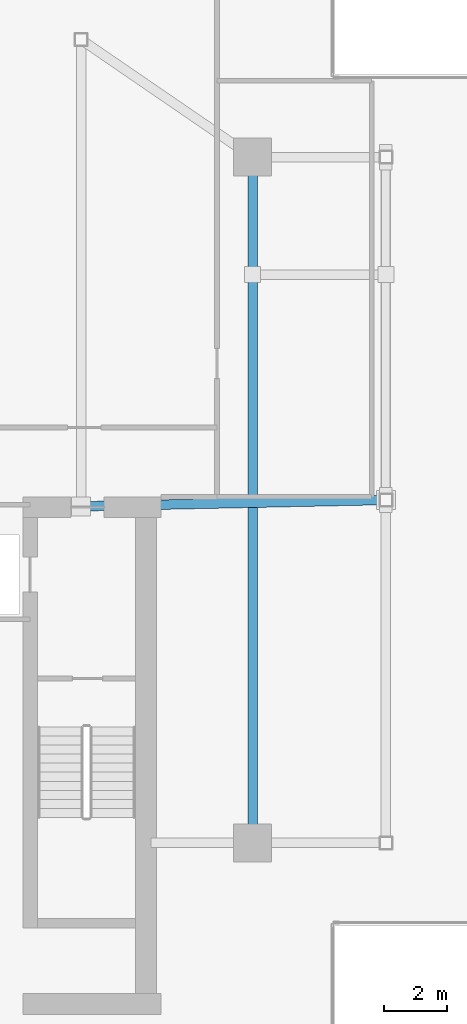
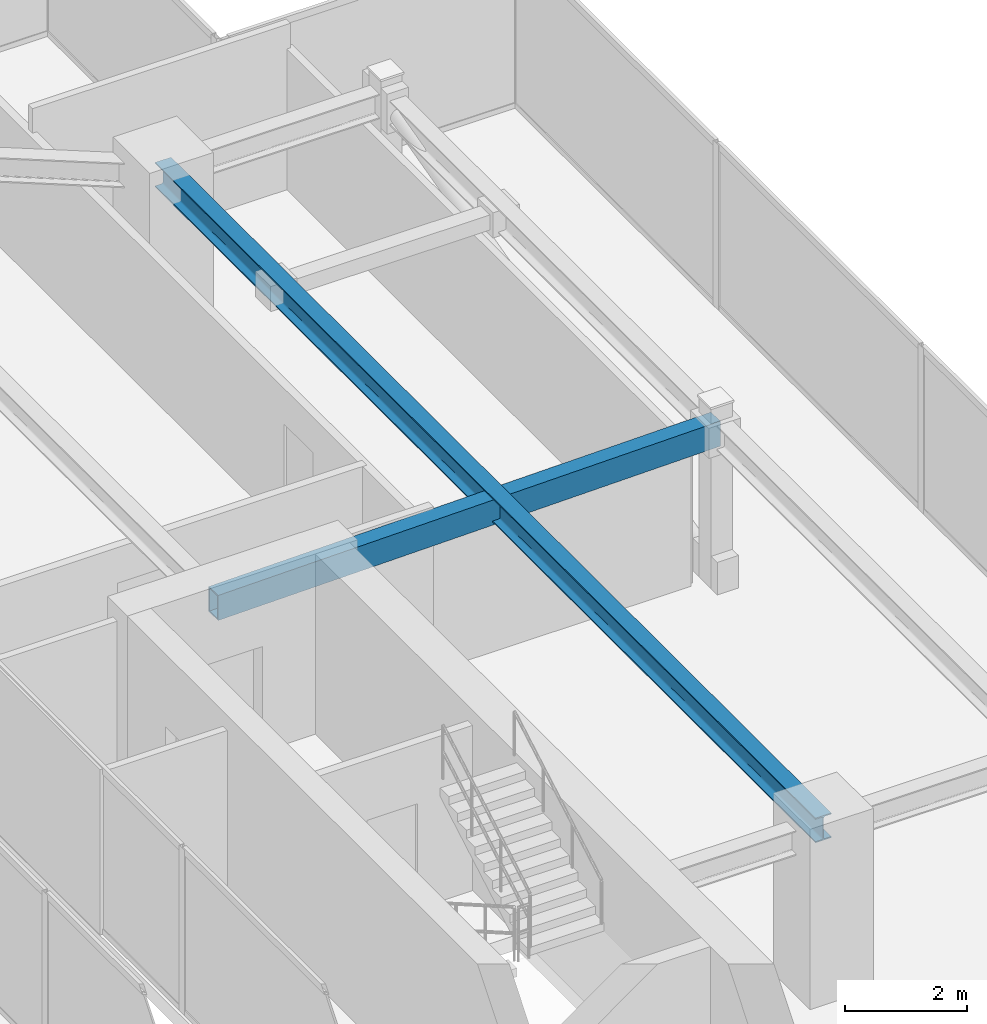
# One storey, part 13 of 25: 1 beam, 1 member.
"""IFC4 building model written with IfcOpenShell, lengths in metres."""

import ifcopenshell
import ifcopenshell.guid

model = None  # the IFC model being written
_history = None  # IfcOwnerHistory: only IFC2X3 demands one
_inside = {}  # id of a spatial element -> (the spatial element, [elements in it])
_under = {}  # id of a project, library or spatial element -> (it, [spatial elements below it])
_declared = {}  # id of a project -> (the project, [libraries it declares])
_typed = {}  # id of a type object -> (the type object, [elements of that type])
_made_of = {}  # id of a material, layer set ... -> (it, [elements and type objects made of it])


def new_model(schema):
    """Start an empty IFC model of exactly this schema.

    Asked for "IFC4X3", IfcOpenShell would pick the latest addendum, in which some entities
    have other attributes; the version numbers below select the first issue.
    IFC2X3 requires an IfcOwnerHistory on every rooted entity: one is made here for all.
    """
    global model, _history
    if schema == "IFC4X3":
        model = ifcopenshell.file(schema_version=(4, 3, 0, 0))
    else:
        model = ifcopenshell.file(schema=schema)
    _inside.clear()
    _under.clear()
    _declared.clear()
    _typed.clear()
    _made_of.clear()
    _history = None
    if model.schema == "IFC2X3":
        org = make("IfcOrganization", Name="unknown")
        user = make(
            "IfcPersonAndOrganization",
            ThePerson=make("IfcPerson", FamilyName="unknown"),
            TheOrganization=org,
        )
        app = make(
            "IfcApplication",
            ApplicationDeveloper=org,
            Version="unknown",
            ApplicationFullName="unknown",
            ApplicationIdentifier="unknown",
        )
        _history = make(
            "IfcOwnerHistory",
            OwningUser=user,
            OwningApplication=app,
            ChangeAction="ADDED",
            CreationDate=0,
        )
    return model


def make(cls, **values):
    """One entity of the class cls with the attributes given. An attribute that is None is left unset."""
    return model.create_entity(
        cls, **{name: value for name, value in values.items() if value is not None}
    )


def rooted(cls, **values):
    """An entity with a GlobalId (a new one), such as an element, a storey or a relation."""
    return make(cls, GlobalId=ifcopenshell.guid.new(), OwnerHistory=_history, **values)


def si_unit(unit_type, name, prefix=None):
    """IfcSIUnit, for example si_unit("LENGTHUNIT", "METRE", prefix="MILLI")."""
    return make("IfcSIUnit", UnitType=unit_type, Prefix=prefix, Name=name)


def assignment(units):
    """IfcUnitAssignment: the units of a project."""
    return None if units is None else make("IfcUnitAssignment", Units=units)


def point(xyz):
    """IfcCartesianPoint."""
    return None if xyz is None else make("IfcCartesianPoint", Coordinates=xyz)


def direction(xyz):
    """IfcDirection."""
    return None if xyz is None else make("IfcDirection", DirectionRatios=xyz)


def frame(location, z_axis=None, x_axis=None):
    """IfcAxis2Placement3D, a coordinate frame: its origin and axes. An axis left out is left unset."""
    return make(
        "IfcAxis2Placement3D",
        Location=point(location),
        Axis=direction(z_axis),
        RefDirection=direction(x_axis),
    )


def frame_2d(location, x_axis=None):
    """IfcAxis2Placement2D, a coordinate frame in the plane: its origin and x axis."""
    return make(
        "IfcAxis2Placement2D", Location=point(location), RefDirection=direction(x_axis)
    )


def origin():
    """The frame at (0, 0, 0) with its axes left unset."""
    return frame((0.0, 0.0, 0.0))


def origin_2d():
    """The frame at (0, 0) in the plane with its x axis left unset."""
    return frame_2d((0.0, 0.0))


def place(relative_to, where):
    """IfcLocalPlacement: puts the frame where relative to a parent placement (None: the world)."""
    return make(
        "IfcLocalPlacement", PlacementRelTo=relative_to, RelativePlacement=where
    )


def context(
    kind, dimensions, precision=None, world=None, true_north=None, identifier=None
):
    """IfcGeometricRepresentationContext, for example the 3D "Model" context."""
    return make(
        "IfcGeometricRepresentationContext",
        ContextIdentifier=identifier,
        ContextType=kind,
        CoordinateSpaceDimension=dimensions,
        Precision=precision,
        WorldCoordinateSystem=world,
        TrueNorth=true_north,
    )


def subcontext(parent, identifier, kind, view, scale=None):
    """IfcGeometricRepresentationSubContext, for example "Body" below "Model"."""
    return make(
        "IfcGeometricRepresentationSubContext",
        ContextIdentifier=identifier,
        ContextType=kind,
        ParentContext=parent,
        TargetScale=scale,
        TargetView=view,
    )


def project(units=None, contexts=None):
    """IfcProject with its units and contexts."""
    return rooted(
        "IfcProject",
        Name="project",
        RepresentationContexts=contexts,
        UnitsInContext=assignment(units),
    )


def spatial(cls, under=None, at=None, **own):
    """A site, building, storey or space (cls), placed at a placement, below another one or the project."""
    s = rooted(cls, ObjectPlacement=at, **own)
    if under is not None:
        _under.setdefault(under.id(), (under, []))[1].append(s)
    return s


def profile(cls, at=None, kind="AREA", **sizes):
    """A parametric profile (cls). Its sizes go by their IFC names, for example OverallWidth=200.0."""
    return make(cls, ProfileType=kind, Position=at, **sizes)


def hollow_rectangle(**sizes):
    """IfcRectangleHollowProfileDef."""
    return profile("IfcRectangleHollowProfileDef", **sizes)


def i_section(**sizes):
    """IfcIShapeProfileDef."""
    return profile("IfcIShapeProfileDef", **sizes)


def extrude(swept, where, along, depth):
    """IfcExtrudedAreaSolid: the profile swept, set in the frame where, extruded along a direction by depth."""
    return make(
        "IfcExtrudedAreaSolid",
        SweptArea=swept,
        Position=where,
        ExtrudedDirection=direction(along),
        Depth=depth,
    )


def shape(context_of_items, identifier, shape_type, items):
    """IfcShapeRepresentation: the items that make up one representation, for example the "Body"."""
    return make(
        "IfcShapeRepresentation",
        ContextOfItems=context_of_items,
        RepresentationIdentifier=identifier,
        RepresentationType=shape_type,
        Items=items,
    )


def source(mapping_origin, context_of_items, identifier, shape_type, items):
    """IfcRepresentationMap: a shape defined once, which mapped items show again and again."""
    return make(
        "IfcRepresentationMap",
        MappingOrigin=mapping_origin,
        MappedRepresentation=shape(context_of_items, identifier, shape_type, items),
    )


def transform(
    local_origin,
    x_axis=None,
    y_axis=None,
    z_axis=None,
    scale=None,
    scale2=None,
    scale3=None,
    uniform=True,
):
    """IfcCartesianTransformationOperator3D, or its non-uniform kind. x_axis, y_axis, z_axis: its Axis1, 2, 3."""
    if uniform:
        return make(
            "IfcCartesianTransformationOperator3D",
            Axis1=direction(x_axis),
            Axis2=direction(y_axis),
            LocalOrigin=point(local_origin),
            Scale=scale,
            Axis3=direction(z_axis),
        )
    return make(
        "IfcCartesianTransformationOperator3DnonUniform",
        Axis1=direction(x_axis),
        Axis2=direction(y_axis),
        LocalOrigin=point(local_origin),
        Scale=scale,
        Axis3=direction(z_axis),
        Scale2=scale2,
        Scale3=scale3,
    )


def mapped(mapping_source, mapping_target):
    """IfcMappedItem: shows the shape of a source again, moved by a transform."""
    return make(
        "IfcMappedItem", MappingSource=mapping_source, MappingTarget=mapping_target
    )


def material(Name=None, Category=None):
    """IfcMaterial."""
    return make("IfcMaterial", Name=Name, Category=Category)


def material_profile(
    of_material, cross_section, Name=None, Category=None, Priority=None
):
    """IfcMaterialProfile: a cross section and its material."""
    return make(
        "IfcMaterialProfile",
        Name=Name,
        Material=of_material,
        Profile=cross_section,
        Priority=Priority,
        Category=Category,
    )


def profile_set(profiles, Name=None, composite=None):
    """IfcMaterialProfileSet."""
    return make(
        "IfcMaterialProfileSet",
        Name=Name,
        MaterialProfiles=profiles,
        CompositeProfile=composite,
    )


def made_of(thing, what):
    """Note that an element or type object is made of a material, layer set ...; save() writes the relation."""
    if what is not None:
        _made_of.setdefault(what.id(), (what, []))[1].append(thing)
    return thing


def type_object(cls, material=None, **own):
    """A type object (cls), such as IfcWallType, which elements share."""
    return made_of(rooted(cls, **own), material)


def type_shapes(of_type, sources):
    """Give a type object the sources (RepresentationMaps) that its elements show as mapped items."""
    of_type.RepresentationMaps = sources


def element(
    cls,
    number,
    at=None,
    inside=None,
    cuts=None,
    type_object=None,
    material=None,
    context=None,
    identifier="Body",
    shape_type=None,
    held_by="IfcProductDefinitionShape",
    body=None,
    shapes=None,
    **own,
):
    """One element of the class cls, such as IfcWall. Its Tag is "e" and its number.

    at: its placement. inside: the storey or other place that contains it. cuts: it is an
    opening in that element (IfcRelVoidsElement). A single representation is given by context,
    identifier, shape_type and body (its items); several are given by shapes. held_by: the class
    of the entity that holds the representations. save() writes the other relations.
    """
    e = rooted(cls, Tag="e%d" % number, ObjectPlacement=at, **own)
    if body is not None:
        shapes = [shape(context, identifier, shape_type, body)]
    if shapes is not None:
        e.Representation = make(held_by, Representations=shapes)
    if inside is not None:
        _inside.setdefault(inside.id(), (inside, []))[1].append(e)
    if cuts is not None:
        rooted(
            "IfcRelVoidsElement", RelatingBuildingElement=cuts, RelatedOpeningElement=e
        )
    if type_object is not None:
        _typed.setdefault(type_object.id(), (type_object, []))[1].append(e)
    return made_of(e, material)


def aggregate(whole, parts):
    """IfcRelAggregates: a whole, such as a stair, and the parts it consists of."""
    return rooted("IfcRelAggregates", RelatingObject=whole, RelatedObjects=parts)


def save(model, path):
    """Write the relations noted so far, then the file.

    IfcRelAggregates (storeys below a building ...), IfcRelContainedInSpatialStructure (elements
    in a storey), IfcRelDefinesByType, IfcRelAssociatesMaterial and IfcRelDeclares: one each for
    every whole, place, type object, material and project.
    """
    for whole, parts in _under.values():
        aggregate(whole, parts)
    for where, things in _inside.values():
        rooted(
            "IfcRelContainedInSpatialStructure",
            RelatedElements=things,
            RelatingStructure=where,
        )
    for kind, things in _typed.values():
        rooted("IfcRelDefinesByType", RelatedObjects=things, RelatingType=kind)
    for what, things in _made_of.values():
        rooted("IfcRelAssociatesMaterial", RelatedObjects=things, RelatingMaterial=what)
    for by, libraries in _declared.values():
        rooted("IfcRelDeclares", RelatingContext=by, RelatedDefinitions=libraries)
    model.write(path)


model = new_model("IFC4")

# Units and contexts
model_context = context("Model", 3, precision=1e-05, world=origin(), true_north=direction((0.0, 1.0)))
body_context = subcontext(model_context, "Body", "Model", "MODEL_VIEW")
ifc_project = project(units=[si_unit("LENGTHUNIT", "METRE"), si_unit("AREAUNIT", "SQUARE_METRE"), si_unit("VOLUMEUNIT", "CUBIC_METRE"), si_unit("PLANEANGLEUNIT", "RADIAN"), si_unit("MASSUNIT", "GRAM", prefix="KILO")], contexts=[model_context])

# Site, building, storey
site_placement = place(None, origin())
site = spatial("IfcSite", under=ifc_project, at=site_placement, CompositionType="ELEMENT")
building_placement = place(site_placement, origin())
building = spatial("IfcBuilding", under=site, at=building_placement, Name="Krantzveldt Concourse Tower", CompositionType="ELEMENT")
storey_placement = place(building_placement, frame((0.0, 0.0, 374.64990234375)))
storey = spatial("IfcBuildingStorey", under=building, at=storey_placement, Name="L92", CompositionType="ELEMENT", Elevation=374.64990234375)

# Beam
ifc_material_1 = material(Name="Steel S355JR", Category="steel")
ifc_material_profile_1 = material_profile(ifc_material_1, i_section(OverallWidth=0.300048828125, OverallDepth=0.489990234375, WebThickness=0.011962890625, FlangeThickness=0.02294921875, FilletRadius=0.027099609375, at=origin_2d()), Name="Steel S355JR", Category="steel")
ifc_profile_set_1 = profile_set([ifc_material_profile_1], Name="Steel S355JR - HEA 500")
beam_type = type_object("IfcBeamType", Name="BM-B-HEA500", PredefinedType="BEAM", material=ifc_profile_set_1)
shared_shape_1 = source(origin(), body_context, "Body", "SweptSolid", [
    extrude(i_section(OverallWidth=0.300048828125, OverallDepth=0.489990234375, WebThickness=0.011962890625, FlangeThickness=0.02294921875, FilletRadius=0.027099609375, at=origin_2d()), origin(), (0.0, 0.0, 1.0), 21.60009765625),
])
type_shapes(beam_type, [shared_shape_1])
beam_placement = place(storey_placement, frame((46.800048828125, 15.89990234375, 3.05517578125), z_axis=(0.0, 1.0, 0.0), x_axis=(-1.0, 0.0, 0.0)))
element("IfcBeam", 1, at=beam_placement, inside=storey, type_object=beam_type, Name="L92 Crown Girder EAST-8", PredefinedType="BEAM", context=body_context, shape_type="MappedRepresentation", body=[
    mapped(shared_shape_1, transform((0.0, 0.0, 0.0), x_axis=(1.0, 0.0, 0.0), y_axis=(0.0, 1.0, 0.0), z_axis=(0.0, 0.0, 1.0), scale=1.0)),
])

# Member
ifc_material_2 = material(Name="Steel S355J2", Category="steel")
ifc_material_profile_2 = material_profile(ifc_material_2, hollow_rectangle(XDim=0.300048828125, YDim=0.5, WallThickness=0.02490234375, at=origin_2d()), Name="Steel S355J2", Category="steel")
ifc_profile_set_2 = profile_set([ifc_material_profile_2], Name="Steel S355J2 - RHS 500x300x25")
member_type = type_object("IfcMemberType", Name="MB-CR-RHS500", PredefinedType="RAFTER", material=ifc_profile_set_2)
shared_shape_2 = source(origin(), body_context, "Body", "SweptSolid", [
    extrude(hollow_rectangle(XDim=0.300048828125, YDim=0.5, WallThickness=0.02490234375, at=origin_2d()), origin(), (0.0, 0.0, 1.0), 9.602294921875),
])
type_shapes(member_type, [shared_shape_2])
member_placement = place(storey_placement, frame((51.0, 26.699951171875, 3.0), z_axis=(-0.99978316702, -0.020823518992, 0.0), x_axis=(0.020823518992, -0.99978316702, 0.0)))
element("IfcMember", 2, at=member_placement, inside=storey, type_object=member_type, Name="CRF-L92-EAST-1", PredefinedType="RAFTER", context=body_context, shape_type="MappedRepresentation", body=[
    mapped(shared_shape_2, transform((0.0, 0.0, 0.0), x_axis=(1.0, 0.0, 0.0), y_axis=(0.0, 1.0, 0.0), z_axis=(0.0, 0.0, 1.0), scale=1.0)),
])

save(model, "model.ifc")
